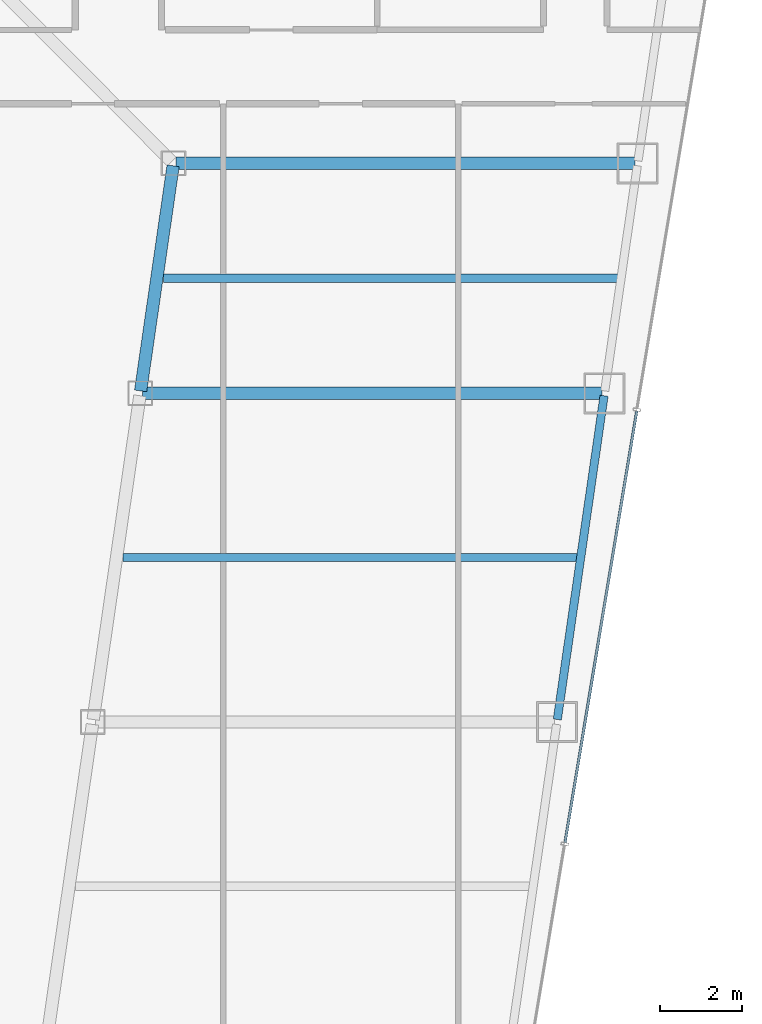
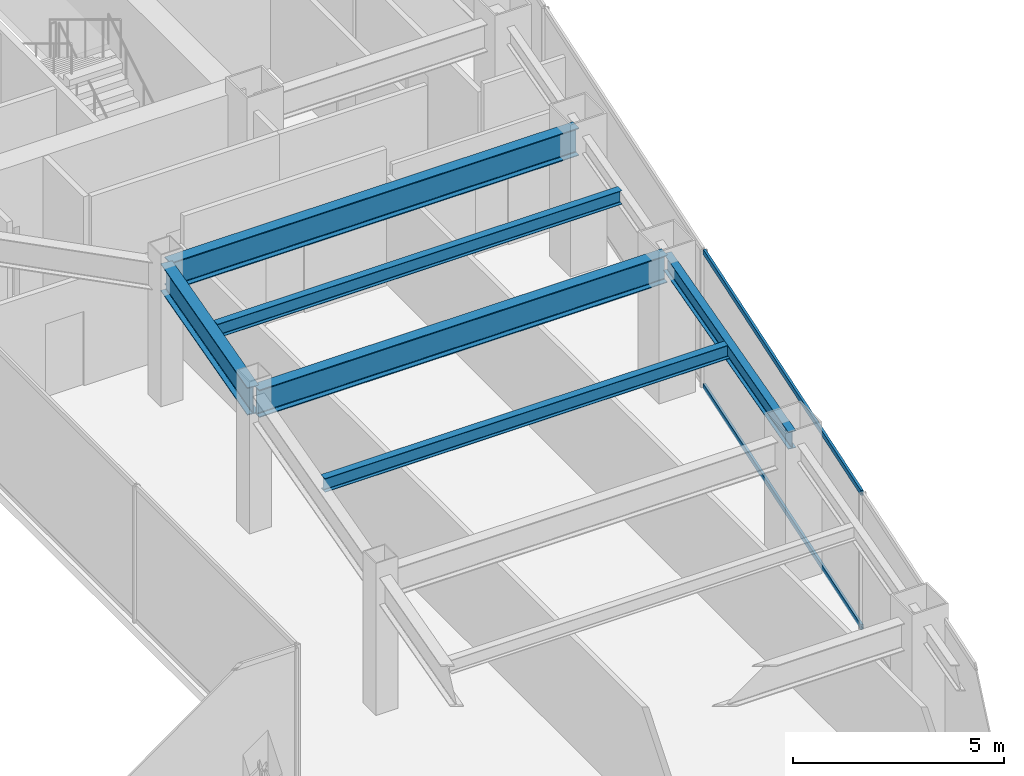
# One storey, part 16 of 36: 6 beams, 2 members, 1 element without a shape of its own.
"""IFC4 building model written with IfcOpenShell, lengths in metres."""

from ifc_helpers import new_model, si_unit, direction, frame, origin, origin_2d, place, context, subcontext, project, spatial, hollow_rectangle, i_section, extrude, material, material_profile, profile_set, type_object, element, aggregate, save


model = new_model("IFC4")

# Units and contexts
model_context = context("Model", 3, precision=1e-05, world=origin(), true_north=direction((0.0, 1.0)))
body_context = subcontext(model_context, "Body", "Model", "MODEL_VIEW")
ifc_project = project(units=[si_unit("LENGTHUNIT", "METRE"), si_unit("AREAUNIT", "SQUARE_METRE"), si_unit("VOLUMEUNIT", "CUBIC_METRE"), si_unit("PLANEANGLEUNIT", "RADIAN"), si_unit("MASSUNIT", "GRAM", prefix="KILO")], contexts=[model_context])

# Site, building, storey
site_placement = place(None, origin())
site = spatial("IfcSite", under=ifc_project, at=site_placement, CompositionType="ELEMENT")
building_placement = place(site_placement, origin())
building = spatial("IfcBuilding", under=site, at=building_placement, Name="Saevonmaru Cultural Tower", CompositionType="ELEMENT")
storey_placement = place(building_placement, frame((0.0, 0.0, 119.199951171875)))
storey = spatial("IfcBuildingStorey", under=building, at=storey_placement, Name="L25", CompositionType="ELEMENT", Elevation=119.199951171875)

# Beams
ifc_material_1 = material(Name="Steel SM420", Category="steel")
ifc_material_profile_1 = material_profile(ifc_material_1, i_section(OverallWidth=0.300048828125, OverallDepth=0.800048828125, WebThickness=0.013916015625, FlangeThickness=0.02587890625, FilletRadius=0.028076171875, at=origin_2d()), Name="H-800x300x14x26")
ifc_profile_set_1 = profile_set([ifc_material_profile_1], Name="Steel SM420")
beam_type_1 = type_object("IfcBeamType", Name="BM-G-H800", PredefinedType="BEAM", material=ifc_profile_set_1)
beam_1_placement = place(storey_placement, frame((40.3916015625, 32.059326171875, 3.550048828125), z_axis=(0.142964121327, 0.989727871697, 0.0), x_axis=(-0.989727871697, 0.142964121327, 0.0)))
element("IfcBeam", 1, at=beam_1_placement, inside=storey, type_object=beam_type_1, Name="L25 East Atrium Girder 4", PredefinedType="BEAM", context=body_context, shape_type="SweptSolid", body=[
    extrude(i_section(OverallWidth=0.300048828125, OverallDepth=0.800048828125, WebThickness=0.013916015625, FlangeThickness=0.02587890625, FilletRadius=0.028076171875, at=origin_2d()), origin(), (0.0, 0.0, 1.0), 5.5380859375),
])
for number, where, z_axis, x_axis, name in (
    (2, (40.443115234375, 32.0, 3.550048828125), (1.0, 0.0, 0.0), (0.0, 1.0, 0.0), "L25 East Wing Transverse Girder 4"),
    (3, (41.251953125, 37.60009765625, 3.550048828125), (1.0, 0.0, 0.0), (0.0, 1.0, 0.0), "L25 East Wing Transverse Girder 5"),
):
    element("IfcBeam", number, at=place(storey_placement, frame(where, z_axis=z_axis, x_axis=x_axis)), inside=storey, type_object=beam_type_1, Name=name, PredefinedType="BEAM", context=body_context, shape_type="SweptSolid", body=[
        extrude(i_section(OverallWidth=0.300048828125, OverallDepth=0.800048828125, WebThickness=0.013916015625, FlangeThickness=0.02587890625, FilletRadius=0.028076171875, at=origin_2d()), origin(), (0.0, 0.0, 1.0), 11.179931640625),
    ])
ifc_material_2 = material(Name="Steel SM355", Category="steel")
ifc_material_profile_2 = material_profile(ifc_material_2, i_section(OverallWidth=0.199951171875, OverallDepth=0.39990234375, WebThickness=0.008056640625, FlangeThickness=0.012939453125, FilletRadius=0.01611328125, at=origin_2d()), Name="H-400x200x8x13")
ifc_profile_set_2 = profile_set([ifc_material_profile_2], Name="Steel SM355")
beam_type_2 = type_object("IfcBeamType", Name="BM-J-H400", PredefinedType="JOIST", material=ifc_profile_set_2)
for number, where, z_axis, x_axis, name in (
    (4, (39.96337890625, 28.0, 3.75), (1.0, 0.0, 0.0), (0.0, 1.0, 0.0), "L25 East Wing Floor Joist 3"),
    (5, (40.945556640625, 34.800048828125, 3.75), (1.0, 0.0, 0.0), (0.0, 1.0, 0.0), "L25 East Wing Floor Joist 4"),
):
    element("IfcBeam", number, at=place(storey_placement, frame(where, z_axis=z_axis, x_axis=x_axis)), inside=storey, type_object=beam_type_2, Name=name, PredefinedType="JOIST", context=body_context, shape_type="SweptSolid", body=[
        extrude(i_section(OverallWidth=0.199951171875, OverallDepth=0.39990234375, WebThickness=0.008056640625, FlangeThickness=0.012939453125, FilletRadius=0.01611328125, at=origin_2d()), origin(), (0.0, 0.0, 1.0), 11.08203125),
    ])
ifc_material_profile_3 = material_profile(ifc_material_2, i_section(OverallWidth=0.199951171875, OverallDepth=0.5, WebThickness=0.010009765625, FlangeThickness=0.01611328125, FilletRadius=0.02001953125, at=origin_2d()), Name="H-500x200x10x16")
ifc_profile_set_3 = profile_set([ifc_material_profile_3], Name="Steel SM355")
beam_type_3 = type_object("IfcBeamType", Name="BM-SP-H500", PredefinedType="SPANDREL", material=ifc_profile_set_3)
beam_2_placement = place(storey_placement, frame((50.53662109375, 24.059326171875, 3.699951171875), z_axis=(0.142871999001, 0.989741174197, 0.0), x_axis=(-0.989741174197, 0.142871999001, 0.0)))
element("IfcBeam", 6, at=beam_2_placement, inside=storey, type_object=beam_type_3, Name="L25 East Splayed Spandrel 3", PredefinedType="SPANDREL", context=body_context, shape_type="SweptSolid", body=[
    extrude(i_section(OverallWidth=0.199951171875, OverallDepth=0.5, WebThickness=0.010009765625, FlangeThickness=0.01611328125, FilletRadius=0.02001953125, at=origin_2d()), origin(), (0.0, 0.0, 1.0), 7.963134765625),
])

# Curtain wall, members
ifc_material_3 = material(Name="Satin Bronze Anodised Aluminium", Category="aluminium")
curtain_wall_type = type_object("IfcCurtainWallType", Name="CW-TYP-A", PredefinedType="NOTDEFINED", material=ifc_material_3)
curtain_wall_placement = place(storey_placement, origin())
curtain_wall = element("IfcCurtainWall", 7, at=curtain_wall_placement, inside=storey, type_object=curtain_wall_type, Name="L25 Unitised Curtain Wall E8", PredefinedType="NOTDEFINED")
ifc_material_profile_4 = material_profile(ifc_material_3, hollow_rectangle(XDim=0.06494140625, YDim=0.14990234375, WallThickness=0.00390625, at=origin_2d()), Name="ALU-TRAN-150x65x4")
ifc_profile_set_4 = profile_set([ifc_material_profile_4], Name="Satin Bronze Anodised Aluminium")
member_type = type_object("IfcMemberType", Name="TR-CW-150x65", PredefinedType="USERDEFINED", material=ifc_profile_set_4)
member_1_placement = place(storey_placement, frame((50.7236328125, 21.061767578125, 0.032470703125), z_axis=(0.163993787386, 0.98646137162, 0.0), x_axis=(-0.98646137162, 0.163993787386, 0.0)))
member_1 = element("IfcMember", 8, at=member_1_placement, type_object=member_type, Name="CW-TW-L25-E8 transom 2.1", ObjectType="TRANSOM", PredefinedType="USERDEFINED", context=body_context, shape_type="SweptSolid", body=[
    extrude(hollow_rectangle(XDim=0.06494140625, YDim=0.14990234375, WallThickness=0.00390625, at=origin_2d()), origin(), (0.0, 0.0, 1.0), 10.650390625),
])
member_2_placement = place(storey_placement, frame((50.7236328125, 21.061767578125, 3.91748046875), z_axis=(0.163993787386, 0.98646137162, 0.0), x_axis=(-0.98646137162, 0.163993787386, 0.0)))
member_2 = element("IfcMember", 9, at=member_2_placement, type_object=member_type, Name="CW-TW-L25-E8 transom 2.2", ObjectType="TRANSOM", PredefinedType="USERDEFINED", context=body_context, shape_type="SweptSolid", body=[
    extrude(hollow_rectangle(XDim=0.06494140625, YDim=0.14990234375, WallThickness=0.00390625, at=origin_2d()), origin(), (0.0, 0.0, 1.0), 10.650390625),
])
aggregate(curtain_wall, [member_1, member_2])

save(model, "model.ifc")
